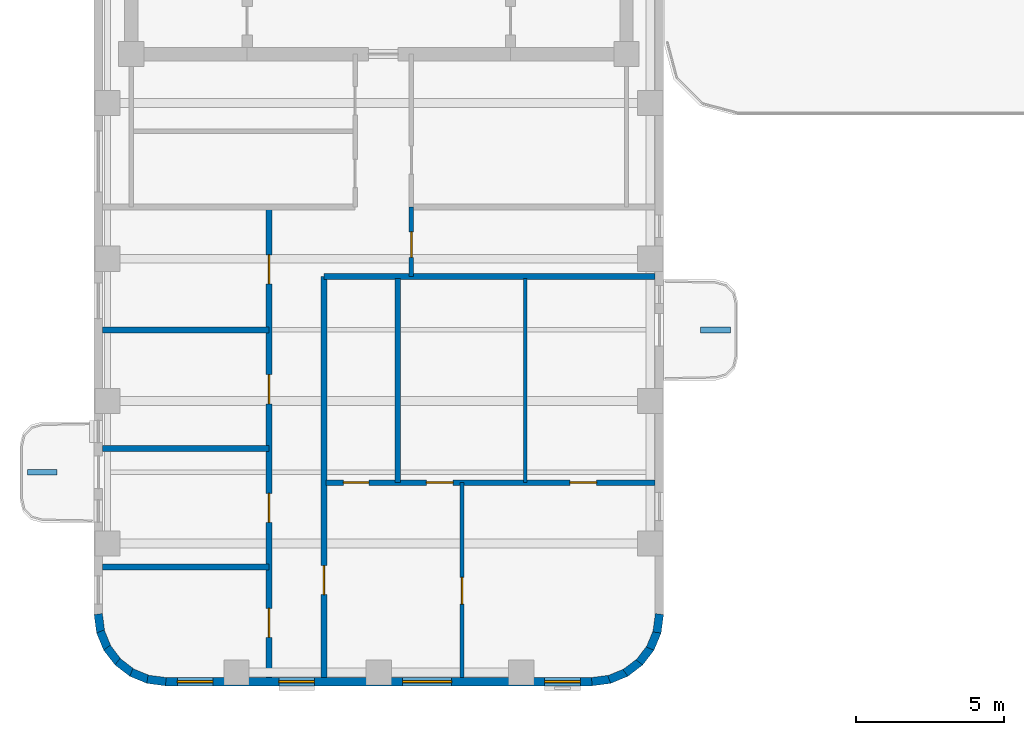
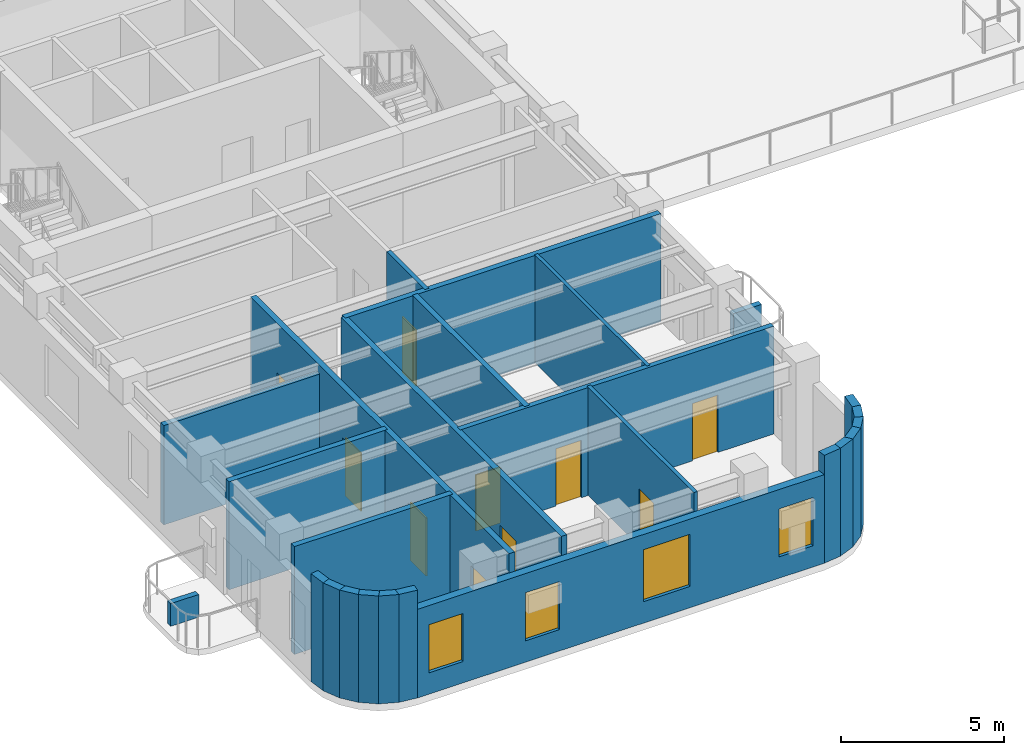
# One storey, part 2 of 7: 26 walls, 10 doors, 4 windows, 14 openings.
"""IFC4 building model written with IfcOpenShell, lengths in metres."""

from ifc_helpers import new_model, si_unit, direction, frame, frame_2d, origin, place, context, subcontext, project, spatial, rectangle, extrude, material, layer, layer_set, type_object, element, fill, save


model = new_model("IFC4")

# Units and contexts
model_context = context("Model", 3, precision=1e-05, world=origin(), true_north=direction((0.0, 1.0)))
body_context = subcontext(model_context, "Body", "Model", "MODEL_VIEW")
ifc_project = project(units=[si_unit("LENGTHUNIT", "METRE"), si_unit("AREAUNIT", "SQUARE_METRE"), si_unit("VOLUMEUNIT", "CUBIC_METRE"), si_unit("PLANEANGLEUNIT", "RADIAN"), si_unit("MASSUNIT", "GRAM", prefix="KILO")], contexts=[model_context])

# Site, building, storey
site_placement = place(None, origin())
site = spatial("IfcSite", under=ifc_project, at=site_placement, CompositionType="ELEMENT")
building_placement = place(site_placement, origin())
building = spatial("IfcBuilding", under=site, at=building_placement, Name="Orvandelia Arch Residences", CompositionType="ELEMENT")
storey_placement = place(building_placement, frame((0.0, 0.0, 239.800048828125)))
storey = spatial("IfcBuildingStorey", under=building, at=storey_placement, Name="L63", CompositionType="ELEMENT", Elevation=239.800048828125)

# Wall, openings, doors
ifc_material_1 = material(Name="Fire-Rated Corridor Partition")
ifc_layer_1 = layer(ifc_material_1, 0.199951171875, Name="Fire-Rated Corridor Partition")
ifc_layer_set_1 = layer_set([ifc_layer_1], Name="Fire-Rated Corridor Partition")
wall_type_1 = type_object("IfcWallType", Name="WL-CORR-200", PredefinedType="PARTITIONING", material=ifc_layer_set_1)
wall_1_placement = place(storey_placement, frame((10.699951171875, 9.8798828125, 0.0), z_axis=(0.0, 0.0, 1.0), x_axis=(0.0, 1.0, 0.0)))
wall_1 = element("IfcWall", 1, at=wall_1_placement, inside=storey, type_object=wall_type_1, Name="Interior Partition Wall WL-L63-WC-W", PredefinedType="PARTITIONING", context=body_context, shape_type="SweptSolid", body=[
    extrude(rectangle(XDim=15.8701171875, YDim=0.199951171875, at=frame_2d((7.93505859375, 0.0))), origin(), (0.0, 0.0, 1.0), 4.0400390625),
])
opening_1_placement = place(wall_1_placement, frame((1.35009765625, 0.0, 0.0)))
opening_1 = element("IfcOpeningElement", 2, at=opening_1_placement, cuts=wall_1, Name="Opening D1", PredefinedType="OPENING", context=body_context, shape_type="SweptSolid", body=[
    extrude(rectangle(XDim=0.97998046875, YDim=2.179931640625, at=frame_2d((0.489990234375, 1.08984375))), frame((0.0, 0.10986328125, 0.0), z_axis=(0.0, -1.0, 0.0), x_axis=(1.0, 0.0, 0.0)), (0.0, 0.0, 1.0), 0.219970703125),
])
opening_2_placement = place(wall_1_placement, frame((5.22998046875, 0.0, 0.0)))
opening_2 = element("IfcOpeningElement", 3, at=opening_2_placement, cuts=wall_1, Name="Opening D1", PredefinedType="OPENING", context=body_context, shape_type="SweptSolid", body=[
    extrude(rectangle(XDim=0.97998046875, YDim=2.179931640625, at=frame_2d((0.489990234375, 1.08984375))), frame((0.0, 0.10986328125, 0.0), z_axis=(0.0, -1.0, 0.0), x_axis=(1.0, 0.0, 0.0)), (0.0, 0.0, 1.0), 0.219970703125),
])
opening_3_placement = place(wall_1_placement, frame((9.22998046875, 0.0, 0.0)))
opening_3 = element("IfcOpeningElement", 4, at=opening_3_placement, cuts=wall_1, Name="Opening D1", PredefinedType="OPENING", context=body_context, shape_type="SweptSolid", body=[
    extrude(rectangle(XDim=0.97998046875, YDim=2.179931640625, at=frame_2d((0.489990234375, 1.08984375))), frame((0.0, 0.10986328125, 0.0), z_axis=(0.0, -1.0, 0.0), x_axis=(1.0, 0.0, 0.0)), (0.0, 0.0, 1.0), 0.219970703125),
])
opening_4_placement = place(wall_1_placement, frame((13.27001953125, 0.0, 0.0)))
opening_4 = element("IfcOpeningElement", 5, at=opening_4_placement, cuts=wall_1, Name="Opening D1", PredefinedType="OPENING", context=body_context, shape_type="SweptSolid", body=[
    extrude(rectangle(XDim=0.97998046875, YDim=2.179931640625, at=frame_2d((0.489990234375, 1.08984375))), frame((0.0, 0.10986328125, 0.0), z_axis=(0.0, -1.0, 0.0), x_axis=(1.0, 0.0, 0.0)), (0.0, 0.0, 1.0), 0.219970703125),
])
ifc_material_2 = material(Name="Solid-Core Timber Acoustic Fire Door", Category="wood")
door_type_1 = type_object("IfcDoorType", Name="DR-ENT-980", OperationType="NOTDEFINED", PredefinedType="DOOR", material=ifc_material_2)
door_1_placement = place(opening_1_placement, origin())
door_1 = element("IfcDoor", 6, at=door_1_placement, inside=storey, type_object=door_type_1, Name="Unit L63-01 Study Door", OperationType="SINGLE_SWING_LEFT", OverallHeight=2.179931640625, OverallWidth=0.97998046875, PredefinedType="DOOR", context=body_context, shape_type="SweptSolid", body=[
    extrude(rectangle(XDim=0.97998046875, YDim=2.179931640625, at=frame_2d((0.489990234375, 1.08984375))), frame((0.0, 0.02490234375, 0.0), z_axis=(0.0, -1.0, 0.0), x_axis=(1.0, 0.0, 0.0)), (0.0, 0.0, 1.0), 0.050048828125),
])
fill(opening_1, door_1)
door_2_placement = place(opening_2_placement, origin())
door_2 = element("IfcDoor", 7, at=door_2_placement, inside=storey, type_object=door_type_1, Name="Unit L63-02 Study Door", OperationType="SINGLE_SWING_RIGHT", OverallHeight=2.179931640625, OverallWidth=0.97998046875, PredefinedType="DOOR", context=body_context, shape_type="SweptSolid", body=[
    extrude(rectangle(XDim=0.97998046875, YDim=2.179931640625, at=frame_2d((0.489990234375, 1.08984375))), frame((0.0, 0.02490234375, 0.0), z_axis=(0.0, -1.0, 0.0), x_axis=(1.0, 0.0, 0.0)), (0.0, 0.0, 1.0), 0.050048828125),
])
fill(opening_2, door_2)
door_3_placement = place(opening_3_placement, origin())
door_3 = element("IfcDoor", 8, at=door_3_placement, inside=storey, type_object=door_type_1, Name="Unit L63-03 Study Door", OperationType="SINGLE_SWING_LEFT", OverallHeight=2.179931640625, OverallWidth=0.97998046875, PredefinedType="DOOR", context=body_context, shape_type="SweptSolid", body=[
    extrude(rectangle(XDim=0.97998046875, YDim=2.179931640625, at=frame_2d((0.489990234375, 1.08984375))), frame((0.0, 0.02490234375, 0.0), z_axis=(0.0, -1.0, 0.0), x_axis=(1.0, 0.0, 0.0)), (0.0, 0.0, 1.0), 0.050048828125),
])
fill(opening_3, door_3)
door_4_placement = place(opening_4_placement, origin())
door_4 = element("IfcDoor", 9, at=door_4_placement, inside=storey, type_object=door_type_1, Name="Unit L63-04 Study Door", OperationType="SINGLE_SWING_RIGHT", OverallHeight=2.179931640625, OverallWidth=0.97998046875, PredefinedType="DOOR", context=body_context, shape_type="SweptSolid", body=[
    extrude(rectangle(XDim=0.97998046875, YDim=2.179931640625, at=frame_2d((0.489990234375, 1.08984375))), frame((0.0, 0.02490234375, 0.0), z_axis=(0.0, -1.0, 0.0), x_axis=(1.0, 0.0, 0.0)), (0.0, 0.0, 1.0), 0.050048828125),
])
fill(opening_4, door_4)

# Wall, opening, door
wall_2_placement = place(storey_placement, frame((12.550048828125, 9.8798828125, 0.0), z_axis=(0.0, 0.0, 1.0), x_axis=(0.0, 1.0, 0.0)))
wall_2 = element("IfcWall", 10, at=wall_2_placement, inside=storey, type_object=wall_type_1, Name="Interior Partition Wall WL-L63-WC-E", PredefinedType="PARTITIONING", context=body_context, shape_type="SweptSolid", body=[
    extrude(rectangle(XDim=13.52001953125, YDim=0.199951171875, at=frame_2d((6.760009765625, 0.0))), origin(), (0.0, 0.0, 1.0), 4.0400390625),
])
opening_5_placement = place(wall_2_placement, frame((2.7958984375, 0.0, 0.0)))
opening_5 = element("IfcOpeningElement", 11, at=opening_5_placement, cuts=wall_2, Name="Opening D1", PredefinedType="OPENING", context=body_context, shape_type="SweptSolid", body=[
    extrude(rectangle(XDim=0.97998046875, YDim=2.179931640625, at=frame_2d((0.489990234375, 1.08984375))), frame((0.0, 0.10986328125, 0.0), z_axis=(0.0, -1.0, 0.0), x_axis=(1.0, 0.0, 0.0)), (0.0, 0.0, 1.0), 0.219970703125),
])
door_5_placement = place(opening_5_placement, origin())
door_5 = element("IfcDoor", 12, at=door_5_placement, inside=storey, type_object=door_type_1, Name="Unit L63-05 Entrance Door", OperationType="SINGLE_SWING_LEFT", OverallHeight=2.179931640625, OverallWidth=0.97998046875, PredefinedType="DOOR", context=body_context, shape_type="SweptSolid", body=[
    extrude(rectangle(XDim=0.97998046875, YDim=2.179931640625, at=frame_2d((0.489990234375, 1.08984375))), frame((0.0, 0.02490234375, 0.0), z_axis=(0.0, -1.0, 0.0), x_axis=(1.0, 0.0, 0.0)), (0.0, 0.0, 1.0), 0.050048828125),
])
fill(opening_5, door_5)

# Walls
wall_3_placement = place(storey_placement, frame((12.550048828125, 23.39990234375, 0.0), z_axis=(0.0, 0.0, 1.0), x_axis=(1.0, 0.0, 0.0)))
element("IfcWall", 13, at=wall_3_placement, inside=storey, type_object=wall_type_1, Name="Interior Partition Wall WL-L63-WLNK-S", PredefinedType="PARTITIONING", context=body_context, shape_type="SweptSolid", body=[
    extrude(rectangle(XDim=11.169921875, YDim=0.199951171875, at=frame_2d((5.5849609375, 0.0))), origin(), (0.0, 0.0, 1.0), 4.0400390625),
])
ifc_material_3 = material(Name="Concrete C40/50", Category="concrete")
ifc_layer_2 = layer(ifc_material_3, 0.199951171875, Name="Concrete C40/50", Category="concrete")
ifc_layer_set_2 = layer_set([ifc_layer_2], Name="Concrete C40/50")
wall_type_2 = type_object("IfcWallType", Name="WL-DEM-200", PredefinedType="SOLIDWALL", material=ifc_layer_set_2)
for number, where, z_axis, x_axis, name in (
    (14, (5.080078125, 13.60009765625, 0.0), (0.0, 0.0, 1.0), (1.0, 0.0, 0.0), "Interior Partition Wall WL-L63-DEM-WL-136"),
    (15, (5.080078125, 17.60009765625, 0.0), (0.0, 0.0, 1.0), (1.0, 0.0, 0.0), "Interior Partition Wall WL-L63-DEM-WL-176"),
):
    element("IfcWall", number, at=place(storey_placement, frame(where, z_axis=z_axis, x_axis=x_axis)), inside=storey, type_object=wall_type_2, Name=name, PredefinedType="SOLIDWALL", context=body_context, shape_type="SweptSolid", body=[
        extrude(rectangle(XDim=5.619873046875, YDim=0.199951171875, at=frame_2d((2.81005859375, 0.0))), origin(), (0.0, 0.0, 1.0), 4.0400390625),
    ])
wall_4_placement = place(storey_placement, frame((5.080078125, 21.60009765625, 0.0), z_axis=(0.0, 0.0, 1.0), x_axis=(1.0, 0.0, 0.0)))
element("IfcWall", 16, at=wall_4_placement, inside=storey, type_object=wall_type_2, Name="Interior Partition Wall WL-L63-DEM-WL-216", PredefinedType="SOLIDWALL", context=body_context, shape_type="SweptSolid", body=[
    extrude(rectangle(XDim=5.619873046875, YDim=0.199951171875, at=frame_2d((2.81005859375, 0.0))), origin(), (0.0, 0.0, 1.0), 3.719970703125),
])
ifc_material_4 = material(Name="Precast concrete C40/50", Category="concrete")
ifc_layer_3 = layer(ifc_material_4, 0.280029296875, Name="Precast concrete C40/50", Category="concrete")
ifc_layer_set_3 = layer_set([ifc_layer_3], Name="Precast concrete C40/50")
wall_type_3 = type_object("IfcWallType", Name="WL-EXT-STONE-280", PredefinedType="STANDARD", material=ifc_layer_set_3)
for number, where, z_axis, x_axis, name in (
    (17, (23.861083984375, 12.018310546875, 0.0), (0.0, 0.0, 1.0), (-0.130555323746, -0.9914410257, 0.0), "Coral-Limestone Precast Facade Wall L63-015"),
    (18, (23.788818359375, 11.432373046875, 0.0), (0.0, 0.0, 1.0), (-0.382317370307, -0.924031075431, 0.0), "Coral-Limestone Precast Facade Wall L63-016"),
    (19, (23.5673828125, 10.88525390625, 0.0), (0.0, 0.0, 1.0), (-0.608693302629, -0.793405610854, 0.0), "Coral-Limestone Precast Facade Wall L63-017"),
    (20, (23.2119140625, 10.4140625, 0.0), (0.0, 0.0, 1.0), (-0.793405610854, -0.608693302629, 0.0), "Coral-Limestone Precast Facade Wall L63-018"),
    (21, (22.746337890625, 10.05078125, 0.0), (0.0, 0.0, 1.0), (-0.92389335771, -0.382650053678, 0.0), "Coral-Limestone Precast Facade Wall L63-019"),
    (22, (22.202880859375, 9.820556640625, 0.0), (0.0, 0.0, 1.0), (-0.9914410257, -0.130555323746, 0.0), "Coral-Limestone Precast Facade Wall L63-020"),
):
    element("IfcWall", number, at=place(storey_placement, frame(where, z_axis=z_axis, x_axis=x_axis)), inside=storey, type_object=wall_type_3, Name=name, PredefinedType="STANDARD", context=body_context, shape_type="SweptSolid", body=[
        extrude(rectangle(XDim=0.62646484375, YDim=0.280029296875, at=frame_2d((0.313232421875, 0.0))), origin(), (0.0, 0.0, 1.0), 4.0400390625),
    ])

# Wall, openings, windows
wall_5_placement = place(storey_placement, frame((21.60009765625, 9.739990234375, 0.0), z_axis=(0.0, 0.0, 1.0), x_axis=(-1.0, 0.0, 0.0)))
wall_5 = element("IfcWall", 23, at=wall_5_placement, inside=storey, type_object=wall_type_3, Name="Coral-Limestone Precast Facade Wall L63-021", PredefinedType="STANDARD", context=body_context, shape_type="SweptSolid", body=[
    extrude(rectangle(XDim=14.400146484375, YDim=0.280029296875, at=frame_2d((7.2001953125, 0.0))), origin(), (0.0, 0.0, 1.0), 3.320068359375),
])
opening_6_placement = place(wall_5_placement, frame((9.375, 0.0, 0.800048828125)))
opening_6 = element("IfcOpeningElement", 24, at=opening_6_placement, cuts=wall_5, Name="Opening W3", PredefinedType="OPENING", context=body_context, shape_type="SweptSolid", body=[
    extrude(rectangle(XDim=1.199951171875, YDim=1.800048828125, at=frame_2d((0.60009765625, 0.89990234375))), frame((0.0, 0.14990234375, 0.0), z_axis=(0.0, -1.0, 0.0), x_axis=(1.0, 0.0, 0.0)), (0.0, 0.0, 1.0), 0.300048828125),
])
opening_7_placement = place(wall_5_placement, frame((12.79248046875, 0.0, 0.800048828125)))
opening_7 = element("IfcOpeningElement", 25, at=opening_7_placement, cuts=wall_5, Name="Opening W3", PredefinedType="OPENING", context=body_context, shape_type="SweptSolid", body=[
    extrude(rectangle(XDim=1.199951171875, YDim=1.800048828125, at=frame_2d((0.60009765625, 0.89990234375))), frame((0.0, 0.14990234375, 0.0), z_axis=(0.0, -1.0, 0.0), x_axis=(1.0, 0.0, 0.0)), (0.0, 0.0, 1.0), 0.300048828125),
])
opening_8_placement = place(wall_5_placement, frame((4.7490234375, 0.0, 0.800048828125)))
opening_8 = element("IfcOpeningElement", 26, at=opening_8_placement, cuts=wall_5, Name="Opening W9", PredefinedType="OPENING", context=body_context, shape_type="SweptSolid", body=[
    extrude(rectangle(XDim=1.64990234375, YDim=1.949951171875, at=frame_2d((0.824951171875, 0.97509765625))), frame((0.0, 0.14990234375, 0.0), z_axis=(0.0, -1.0, 0.0), x_axis=(1.0, 0.0, 0.0)), (0.0, 0.0, 1.0), 0.300048828125),
])
opening_9_placement = place(wall_5_placement, frame((0.407470703125, 0.0, 0.800048828125)))
opening_9 = element("IfcOpeningElement", 27, at=opening_9_placement, cuts=wall_5, Name="Opening W3", PredefinedType="OPENING", context=body_context, shape_type="SweptSolid", body=[
    extrude(rectangle(XDim=1.199951171875, YDim=1.800048828125, at=frame_2d((0.60009765625, 0.89990234375))), frame((0.0, 0.14990234375, 0.0), z_axis=(0.0, -1.0, 0.0), x_axis=(1.0, 0.0, 0.0)), (0.0, 0.0, 1.0), 0.300048828125),
])
ifc_material_5 = material(Name="Tempered Low-E Insulated Glazing", Category="glass")
window_type_1 = type_object("IfcWindowType", Name="WIN-RES-1200x1800", PartitioningType="SINGLE_PANEL", PredefinedType="WINDOW", material=ifc_material_5)
window_1_placement = place(opening_6_placement, origin())
window_1 = element("IfcWindow", 28, at=window_1_placement, inside=storey, type_object=window_type_1, Name="Recessed Punched Window L63-006", OverallHeight=1.800048828125, OverallWidth=1.199951171875, PartitioningType="SINGLE_PANEL", PredefinedType="WINDOW", context=body_context, shape_type="SweptSolid", body=[
    extrude(rectangle(XDim=1.199951171875, YDim=1.800048828125, at=frame_2d((0.60009765625, 0.89990234375))), frame((0.0, 0.030029296875, 0.0), z_axis=(0.0, -1.0, 0.0), x_axis=(1.0, 0.0, 0.0)), (0.0, 0.0, 1.0), 0.06005859375),
])
fill(opening_6, window_1)
window_2_placement = place(opening_7_placement, origin())
window_2 = element("IfcWindow", 29, at=window_2_placement, inside=storey, type_object=window_type_1, Name="Recessed Punched Window L63-007", OverallHeight=1.800048828125, OverallWidth=1.199951171875, PartitioningType="SINGLE_PANEL", PredefinedType="WINDOW", context=body_context, shape_type="SweptSolid", body=[
    extrude(rectangle(XDim=1.199951171875, YDim=1.800048828125, at=frame_2d((0.60009765625, 0.89990234375))), frame((0.0, 0.030029296875, 0.0), z_axis=(0.0, -1.0, 0.0), x_axis=(1.0, 0.0, 0.0)), (0.0, 0.0, 1.0), 0.06005859375),
])
fill(opening_7, window_2)
window_3_placement = place(opening_9_placement, origin())
window_3 = element("IfcWindow", 30, at=window_3_placement, inside=storey, type_object=window_type_1, Name="Recessed Punched Window L63-009", OverallHeight=1.800048828125, OverallWidth=1.199951171875, PartitioningType="SINGLE_PANEL", PredefinedType="WINDOW", context=body_context, shape_type="SweptSolid", body=[
    extrude(rectangle(XDim=1.199951171875, YDim=1.800048828125, at=frame_2d((0.60009765625, 0.89990234375))), frame((0.0, 0.030029296875, 0.0), z_axis=(0.0, -1.0, 0.0), x_axis=(1.0, 0.0, 0.0)), (0.0, 0.0, 1.0), 0.06005859375),
])
fill(opening_9, window_3)
window_type_2 = type_object("IfcWindowType", Name="WIN-UPP-1650x1950", PartitioningType="SINGLE_PANEL", PredefinedType="WINDOW", material=ifc_material_5)
window_4_placement = place(opening_8_placement, origin())
window_4 = element("IfcWindow", 31, at=window_4_placement, inside=storey, type_object=window_type_2, Name="Recessed Punched Window L63-008", OverallHeight=1.949951171875, OverallWidth=1.64990234375, PartitioningType="SINGLE_PANEL", PredefinedType="WINDOW", context=body_context, shape_type="SweptSolid", body=[
    extrude(rectangle(XDim=1.64990234375, YDim=1.949951171875, at=frame_2d((0.824951171875, 0.97509765625))), frame((0.0, 0.030029296875, 0.0), z_axis=(0.0, -1.0, 0.0), x_axis=(1.0, 0.0, 0.0)), (0.0, 0.0, 1.0), 0.06005859375),
])
fill(opening_8, window_4)

# Walls
wall_6_placement = place(storey_placement, frame((7.21826171875, 9.73876953125, 0.0), z_axis=(0.0, 0.0, 1.0), x_axis=(-0.9914410257, 0.130555323746, 0.0)))
element("IfcWall", 32, at=wall_6_placement, inside=storey, type_object=wall_type_3, Name="Coral-Limestone Precast Facade Wall L63-022", PredefinedType="STANDARD", context=body_context, shape_type="SweptSolid", body=[
    extrude(rectangle(XDim=0.62646484375, YDim=0.280029296875, at=frame_2d((0.313232421875, 0.0))), origin(), (0.0, 0.0, 1.0), 4.0400390625),
])
wall_7_placement = place(storey_placement, frame((6.63232421875, 9.81103515625, 0.0), z_axis=(0.0, 0.0, 1.0), x_axis=(-0.923836271867, 0.382787856107, 0.0)))
element("IfcWall", 33, at=wall_7_placement, inside=storey, type_object=wall_type_3, Name="Coral-Limestone Precast Facade Wall L63-023", PredefinedType="STANDARD", context=body_context, shape_type="SweptSolid", body=[
    extrude(rectangle(XDim=0.626220703125, YDim=0.280029296875, at=frame_2d((0.31298828125, 0.0))), origin(), (0.0, 0.0, 1.0), 4.0400390625),
])
for number, where, z_axis, x_axis, name in (
    (34, (6.085205078125, 10.03271484375, 0.0), (0.0, 0.0, 1.0), (-0.793405610854, 0.608693302629, 0.0), "Coral-Limestone Precast Facade Wall L63-024"),
    (35, (5.614013671875, 10.38818359375, 0.0), (0.0, 0.0, 1.0), (-0.608693302629, 0.793405610854, 0.0), "Coral-Limestone Precast Facade Wall L63-025"),
    (36, (5.250732421875, 10.853515625, 0.0), (0.0, 0.0, 1.0), (-0.382650053678, 0.92389335771, 0.0), "Coral-Limestone Precast Facade Wall L63-026"),
    (37, (5.0205078125, 11.397216796875, 0.0), (0.0, 0.0, 1.0), (-0.130555323746, 0.9914410257, 0.0), "Coral-Limestone Precast Facade Wall L63-027"),
):
    element("IfcWall", number, at=place(storey_placement, frame(where, z_axis=z_axis, x_axis=x_axis)), inside=storey, type_object=wall_type_3, Name=name, PredefinedType="STANDARD", context=body_context, shape_type="SweptSolid", body=[
        extrude(rectangle(XDim=0.62646484375, YDim=0.280029296875, at=frame_2d((0.313232421875, 0.0))), origin(), (0.0, 0.0, 1.0), 4.0400390625),
    ])
ifc_material_6 = material(Name="Lightweight Gypsum Stud Partition")
ifc_layer_4 = layer(ifc_material_6, 0.1201171875, Name="Lightweight Gypsum Stud Partition")
ifc_layer_set_4 = layer_set([ifc_layer_4], Name="Lightweight Gypsum Stud Partition")
wall_type_4 = type_object("IfcWallType", Name="WL-PART-120", PredefinedType="PARTITIONING", material=ifc_layer_set_4)
wall_8_placement = place(storey_placement, frame((19.3330078125, 16.451904296875, 0.0), z_axis=(0.0, 0.0, 1.0), x_axis=(0.0, 1.0, 0.0)))
element("IfcWall", 38, at=wall_8_placement, inside=storey, type_object=wall_type_4, Name="Interior Partition Wall WL-L63-U05-V2", PredefinedType="PARTITIONING", context=body_context, shape_type="SweptSolid", body=[
    extrude(rectangle(XDim=6.88818359375, YDim=0.1201171875, at=frame_2d((3.444091796875, 0.0))), origin(), (0.0, 0.0, 1.0), 4.0400390625),
])

# Wall, opening, door
ifc_material_7 = material(Name="Double-Layer Acoustic Gypsum Partition")
ifc_layer_5 = layer(ifc_material_7, 0.135009765625, Name="Double-Layer Acoustic Gypsum Partition")
ifc_layer_set_5 = layer_set([ifc_layer_5], Name="Double-Layer Acoustic Gypsum Partition")
wall_type_5 = type_object("IfcWallType", Name="WL-PART-135", PredefinedType="PARTITIONING", material=ifc_layer_set_5)
wall_9_placement = place(storey_placement, frame((17.20703125, 9.8798828125, 0.0), z_axis=(0.0, 0.0, 1.0), x_axis=(0.0, 1.0, 0.0)))
wall_9 = element("IfcWall", 39, at=wall_9_placement, inside=storey, type_object=wall_type_5, Name="Interior Partition Wall WL-L63-U05-DIN", PredefinedType="PARTITIONING", context=body_context, shape_type="SweptSolid", body=[
    extrude(rectangle(XDim=6.572021484375, YDim=0.135009765625, at=frame_2d((3.2861328125, 0.0))), origin(), (0.0, 0.0, 1.0), 4.0400390625),
])
opening_10_placement = place(wall_9_placement, frame((2.472412109375, 0.0, 0.0)))
opening_10 = element("IfcOpeningElement", 40, at=opening_10_placement, cuts=wall_9, Name="Opening D3", PredefinedType="OPENING", context=body_context, shape_type="SweptSolid", body=[
    extrude(rectangle(XDim=0.89990234375, YDim=2.14990234375, at=frame_2d((0.449951171875, 1.074951171875))), frame((0.0, 0.07763671875, 0.0), z_axis=(0.0, -1.0, 0.0), x_axis=(1.0, 0.0, 0.0)), (0.0, 0.0, 1.0), 0.155029296875),
])
ifc_material_8 = material(Name="Engineered Timber Flush Door", Category="wood")
door_type_2 = type_object("IfcDoorType", Name="DR-INT-900", OperationType="NOTDEFINED", PredefinedType="DOOR", material=ifc_material_8)
door_6_placement = place(opening_10_placement, origin())
door_6 = element("IfcDoor", 41, at=door_6_placement, inside=storey, type_object=door_type_2, Name="DR-L63-U05-DIN", OperationType="SINGLE_SWING_RIGHT", OverallHeight=2.14990234375, OverallWidth=0.89990234375, PredefinedType="DOOR", context=body_context, shape_type="SweptSolid", body=[
    extrude(rectangle(XDim=0.89990234375, YDim=2.14990234375, at=frame_2d((0.449951171875, 1.074951171875))), frame((0.0, 0.02490234375, 0.0), z_axis=(0.0, -1.0, 0.0), x_axis=(1.0, 0.0, 0.0)), (0.0, 0.0, 1.0), 0.050048828125),
])
fill(opening_10, door_6)

ifc_material_9 = material(Name="Acoustic Gypsum Stud Partition")
ifc_layer_6 = layer(ifc_material_9, 0.14990234375, Name="Acoustic Gypsum Stud Partition")
ifc_layer_set_6 = layer_set([ifc_layer_6], Name="Acoustic Gypsum Stud Partition")
wall_type_6 = type_object("IfcWallType", Name="WL-PART-150", PredefinedType="PARTITIONING", material=ifc_layer_set_6)
wall_10_placement = place(storey_placement, frame((15.5, 23.39990234375, 0.0), z_axis=(0.0, 0.0, 1.0), x_axis=(0.0, 1.0, 0.0)))
wall_10 = element("IfcWall", 42, at=wall_10_placement, inside=storey, type_object=wall_type_6, Name="Interior Partition Wall WL-L63-WLNK-E", PredefinedType="PARTITIONING", context=body_context, shape_type="SweptSolid", body=[
    extrude(rectangle(XDim=2.35009765625, YDim=0.14990234375, at=frame_2d((1.175048828125, 0.0))), origin(), (0.0, 0.0, 1.0), 4.0400390625),
])
opening_11_placement = place(wall_10_placement, frame((0.64990234375, 0.0, 0.0)))
opening_11 = element("IfcOpeningElement", 43, at=opening_11_placement, cuts=wall_10, Name="Opening D4", PredefinedType="OPENING", context=body_context, shape_type="SweptSolid", body=[
    extrude(rectangle(XDim=0.860107421875, YDim=2.10009765625, at=frame_2d((0.43017578125, 1.050048828125))), frame((0.0, 0.0849609375, 0.0), z_axis=(0.0, -1.0, 0.0), x_axis=(1.0, 0.0, 0.0)), (0.0, 0.0, 1.0), 0.169921875),
])
ifc_material_10 = material(Name="Moisture-Sealed Timber Bathroom Door", Category="wood")
door_type_3 = type_object("IfcDoorType", Name="DR-WET-900", OperationType="NOTDEFINED", PredefinedType="DOOR", material=ifc_material_10)
door_7_placement = place(opening_11_placement, origin())
door_7 = element("IfcDoor", 44, at=door_7_placement, inside=storey, type_object=door_type_3, Name="DR-L63-WLNKST", OperationType="SINGLE_SWING_RIGHT", OverallHeight=2.10009765625, OverallWidth=0.860107421875, PredefinedType="DOOR", context=body_context, shape_type="SweptSolid", body=[
    extrude(rectangle(XDim=0.860107421875, YDim=2.10009765625, at=frame_2d((0.43017578125, 1.050048828125))), frame((0.0, 0.02490234375, 0.0), z_axis=(0.0, -1.0, 0.0), x_axis=(1.0, 0.0, 0.0)), (0.0, 0.0, 1.0), 0.050048828125),
])
fill(opening_11, door_7)

# Walls
ifc_layer_7 = layer(ifc_material_4, 0.199951171875, Name="Precast concrete C40/50", Category="concrete")
ifc_layer_set_7 = layer_set([ifc_layer_7], Name="Precast concrete C40/50")
wall_type_7 = type_object("IfcWallType", Name="WL-PLANTER-200", PredefinedType="MOVABLE", material=ifc_layer_set_7)
for number, where, z_axis, x_axis, name in (
    (45, (2.550048828125, 16.800048828125, 0.0), (0.0, 0.0, 1.0), (1.0, 0.0, 0.0), "Balcony Precast Tree Planter BAL-L63-W1"),
    (46, (25.25, 21.60009765625, 0.0), (0.0, 0.0, 1.0), (1.0, 0.0, 0.0), "Balcony Precast Tree Planter BAL-L63-W2"),
):
    element("IfcWall", number, at=place(storey_placement, frame(where, z_axis=z_axis, x_axis=x_axis)), inside=storey, type_object=wall_type_7, Name=name, PredefinedType="MOVABLE", context=body_context, shape_type="SweptSolid", body=[
        extrude(rectangle(XDim=1.0, YDim=0.199951171875, at=frame_2d((0.5, 0.0))), origin(), (0.0, 0.0, 1.0), 0.849853515625),
    ])

# Wall, openings, doors
ifc_material_11 = material(Name="Moisture-Resistant Plumbing Wall")
ifc_layer_8 = layer(ifc_material_11, 0.179931640625, Name="Moisture-Resistant Plumbing Wall")
ifc_layer_set_8 = layer_set([ifc_layer_8], Name="Moisture-Resistant Plumbing Wall")
wall_type_8 = type_object("IfcWallType", Name="WL-WET-180", PredefinedType="PLUMBINGWALL", material=ifc_layer_set_8)
wall_11_placement = place(storey_placement, frame((12.610107421875, 16.451904296875, 0.0), z_axis=(0.0, 0.0, 1.0), x_axis=(1.0, 0.0, 0.0)))
wall_11 = element("IfcWall", 47, at=wall_11_placement, inside=storey, type_object=wall_type_8, Name="Interior Partition Wall WL-L63-U05-HZ", PredefinedType="PLUMBINGWALL", context=body_context, shape_type="SweptSolid", body=[
    extrude(rectangle(XDim=11.10986328125, YDim=0.179931640625, at=frame_2d((5.554931640625, 0.0))), origin(), (0.0, 0.0, 1.0), 4.0400390625),
])
opening_12_placement = place(wall_11_placement, frame((0.595703125, 0.0, 0.0)))
opening_12 = element("IfcOpeningElement", 48, at=opening_12_placement, cuts=wall_11, Name="Opening D4", PredefinedType="OPENING", context=body_context, shape_type="SweptSolid", body=[
    extrude(rectangle(XDim=0.860107421875, YDim=2.10009765625, at=frame_2d((0.43017578125, 1.050048828125))), frame((0.0, 0.10009765625, 0.0), z_axis=(0.0, -1.0, 0.0), x_axis=(1.0, 0.0, 0.0)), (0.0, 0.0, 1.0), 0.199951171875),
])
opening_13_placement = place(wall_11_placement, frame((3.39111328125, 0.0, 0.0)))
opening_13 = element("IfcOpeningElement", 49, at=opening_13_placement, cuts=wall_11, Name="Opening D3", PredefinedType="OPENING", context=body_context, shape_type="SweptSolid", body=[
    extrude(rectangle(XDim=0.89990234375, YDim=2.14990234375, at=frame_2d((0.449951171875, 1.074951171875))), frame((0.0, 0.10009765625, 0.0), z_axis=(0.0, -1.0, 0.0), x_axis=(1.0, 0.0, 0.0)), (0.0, 0.0, 1.0), 0.199951171875),
])
opening_14_placement = place(wall_11_placement, frame((8.233642578125, 0.0, 0.0)))
opening_14 = element("IfcOpeningElement", 50, at=opening_14_placement, cuts=wall_11, Name="Opening D3", PredefinedType="OPENING", context=body_context, shape_type="SweptSolid", body=[
    extrude(rectangle(XDim=0.89990234375, YDim=2.14990234375, at=frame_2d((0.449951171875, 1.074951171875))), frame((0.0, 0.10009765625, 0.0), z_axis=(0.0, -1.0, 0.0), x_axis=(1.0, 0.0, 0.0)), (0.0, 0.0, 1.0), 0.199951171875),
])
door_8_placement = place(opening_13_placement, origin())
door_8 = element("IfcDoor", 51, at=door_8_placement, inside=storey, type_object=door_type_2, Name="DR-L63-U05-KIT", OperationType="SINGLE_SWING_LEFT", OverallHeight=2.14990234375, OverallWidth=0.89990234375, PredefinedType="DOOR", context=body_context, shape_type="SweptSolid", body=[
    extrude(rectangle(XDim=0.89990234375, YDim=2.14990234375, at=frame_2d((0.449951171875, 1.074951171875))), frame((0.0, 0.02490234375, 0.0), z_axis=(0.0, -1.0, 0.0), x_axis=(1.0, 0.0, 0.0)), (0.0, 0.0, 1.0), 0.050048828125),
])
fill(opening_13, door_8)
door_9_placement = place(opening_14_placement, origin())
door_9 = element("IfcDoor", 52, at=door_9_placement, inside=storey, type_object=door_type_2, Name="DR-L63-U05-BD1", OperationType="SINGLE_SWING_RIGHT", OverallHeight=2.14990234375, OverallWidth=0.89990234375, PredefinedType="DOOR", context=body_context, shape_type="SweptSolid", body=[
    extrude(rectangle(XDim=0.89990234375, YDim=2.14990234375, at=frame_2d((0.449951171875, 1.074951171875))), frame((0.0, 0.02490234375, 0.0), z_axis=(0.0, -1.0, 0.0), x_axis=(1.0, 0.0, 0.0)), (0.0, 0.0, 1.0), 0.050048828125),
])
fill(opening_14, door_9)
door_10_placement = place(opening_12_placement, origin())
door_10 = element("IfcDoor", 53, at=door_10_placement, inside=storey, type_object=door_type_3, Name="DR-L63-U05-BTH", OperationType="SINGLE_SWING_RIGHT", OverallHeight=2.10009765625, OverallWidth=0.860107421875, PredefinedType="DOOR", context=body_context, shape_type="SweptSolid", body=[
    extrude(rectangle(XDim=0.860107421875, YDim=2.10009765625, at=frame_2d((0.43017578125, 1.050048828125))), frame((0.0, 0.02490234375, 0.0), z_axis=(0.0, -1.0, 0.0), x_axis=(1.0, 0.0, 0.0)), (0.0, 0.0, 1.0), 0.050048828125),
])
fill(opening_12, door_10)

# Wall
wall_12_placement = place(storey_placement, frame((15.033935546875, 16.451904296875, 0.0), z_axis=(0.0, 0.0, 1.0), x_axis=(0.0, 1.0, 0.0)))
element("IfcWall", 54, at=wall_12_placement, inside=storey, type_object=wall_type_8, Name="Interior Partition Wall WL-L63-U05-V1", PredefinedType="PLUMBINGWALL", context=body_context, shape_type="SweptSolid", body=[
    extrude(rectangle(XDim=6.88818359375, YDim=0.179931640625, at=frame_2d((3.444091796875, 0.0))), origin(), (0.0, 0.0, 1.0), 4.0400390625),
])

save(model, "model.ifc")
